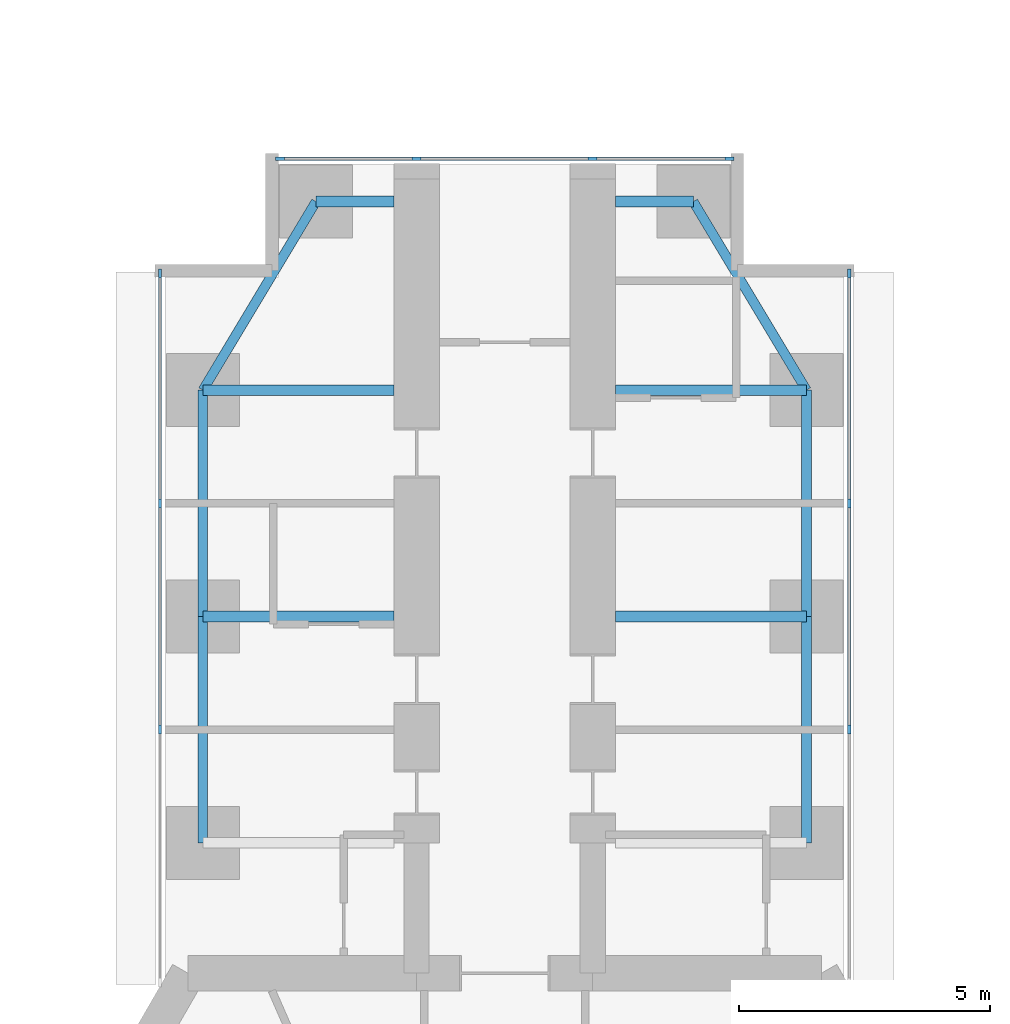
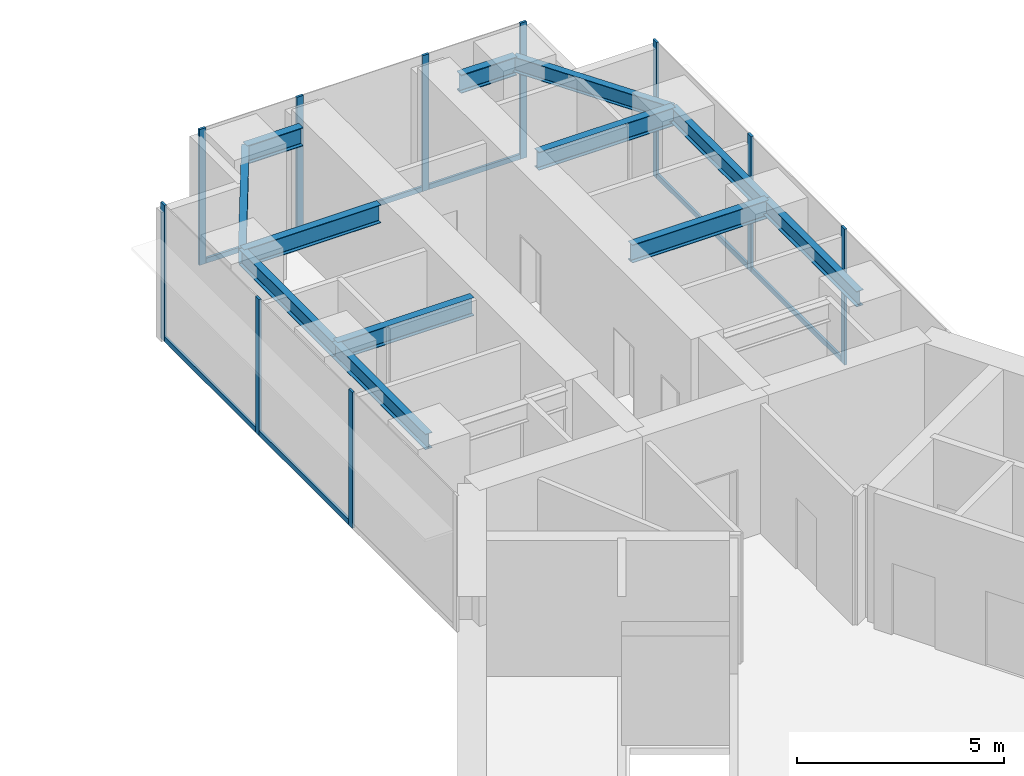
# One storey, part 13 of 24: 17 members, 12 beams, 3 elements without a shape of their own.
"""IFC4 building model written with IfcOpenShell, lengths in metres."""

from ifc_helpers import new_model, si_unit, direction, frame, origin, origin_2d, place, context, subcontext, project, spatial, rectangle, i_section, extrude, material, material_profile, profile_set, type_object, element, aggregate, save


model = new_model("IFC4")

# Units and contexts
model_context = context("Model", 3, precision=1e-05, world=origin(), true_north=direction((0.0, 1.0)))
body_context = subcontext(model_context, "Body", "Model", "MODEL_VIEW")
ifc_project = project(units=[si_unit("LENGTHUNIT", "METRE"), si_unit("AREAUNIT", "SQUARE_METRE"), si_unit("VOLUMEUNIT", "CUBIC_METRE"), si_unit("PLANEANGLEUNIT", "RADIAN"), si_unit("MASSUNIT", "GRAM", prefix="KILO")], contexts=[model_context])

# Site, building, storey
site_placement = place(None, origin())
site = spatial("IfcSite", under=ifc_project, at=site_placement, CompositionType="ELEMENT")
building_placement = place(site_placement, origin())
building = spatial("IfcBuilding", under=site, at=building_placement, Name="Upepo Twin Towers", CompositionType="ELEMENT")
storey_placement = place(building_placement, frame((0.0, 0.0, 48.5)))
storey = spatial("IfcBuildingStorey", under=building, at=storey_placement, Name="L11", CompositionType="ELEMENT", Elevation=48.5)

# Beams
ifc_material_1 = material(Name="Steel S355", Category="steel")
ifc_material_profile_1 = material_profile(ifc_material_1, i_section(OverallWidth=0.1904296875, OverallDepth=0.45703125, WebThickness=0.009033203125, FlangeThickness=0.014404296875, FilletRadius=0.01025390625, at=origin_2d()), Name="UB 457x191x74")
ifc_profile_set_1 = profile_set([ifc_material_profile_1], Name="Steel S355")
beam_type_1 = type_object("IfcBeamType", Name="Beam UB 457x191x74", PredefinedType="BEAM", material=ifc_profile_set_1)
for number, where, z_axis, x_axis, name in (
    (1, (52.5, -4.5, 3.571533203125), (0.0, 1.0, 0.0), (-1.0, 0.0, 0.0), "T2 edge beam AL 13.5-18.0"),
    (2, (52.5, 0.0, 3.571533203125), (0.0, 1.0, 0.0), (-1.0, 0.0, 0.0), "T2 edge beam AL 18.0-22.5"),
):
    element("IfcBeam", number, at=place(storey_placement, frame(where, z_axis=z_axis, x_axis=x_axis)), inside=storey, type_object=beam_type_1, Name=name, PredefinedType="BEAM", context=body_context, shape_type="SweptSolid", body=[
        extrude(i_section(OverallWidth=0.1904296875, OverallDepth=0.45703125, WebThickness=0.009033203125, FlangeThickness=0.014404296875, FilletRadius=0.01025390625, at=origin_2d()), origin(), (0.0, 0.0, 1.0), 4.5),
    ])
beam_1_placement = place(storey_placement, frame((52.5, 4.5, 3.571533203125), z_axis=(0.514495755428, 0.857492925713, 0.0), x_axis=(-0.857492925713, 0.514495755428, 0.0)))
element("IfcBeam", 3, at=beam_1_placement, inside=storey, type_object=beam_type_1, Name="T2 nose edge beam AL", PredefinedType="BEAM", context=body_context, shape_type="SweptSolid", body=[
    extrude(i_section(OverallWidth=0.1904296875, OverallDepth=0.45703125, WebThickness=0.009033203125, FlangeThickness=0.014404296875, FilletRadius=0.01025390625, at=origin_2d()), origin(), (0.0, 0.0, 1.0), 4.373291015625),
])
for number, where, z_axis, x_axis, name in (
    (4, (64.5, -4.5, 3.571533203125), (0.0, 1.0, 0.0), (-1.0, 0.0, 0.0), "T2 edge beam AR 13.5-18.0"),
    (5, (64.5, 0.0, 3.571533203125), (0.0, 1.0, 0.0), (-1.0, 0.0, 0.0), "T2 edge beam AR 18.0-22.5"),
):
    element("IfcBeam", number, at=place(storey_placement, frame(where, z_axis=z_axis, x_axis=x_axis)), inside=storey, type_object=beam_type_1, Name=name, PredefinedType="BEAM", context=body_context, shape_type="SweptSolid", body=[
        extrude(i_section(OverallWidth=0.1904296875, OverallDepth=0.45703125, WebThickness=0.009033203125, FlangeThickness=0.014404296875, FilletRadius=0.01025390625, at=origin_2d()), origin(), (0.0, 0.0, 1.0), 4.5),
    ])
beam_2_placement = place(storey_placement, frame((64.5, 4.5, 3.571533203125), z_axis=(-0.514495755428, 0.857492925713, 0.0), x_axis=(-0.857492925713, -0.514495755428, 0.0)))
element("IfcBeam", 6, at=beam_2_placement, inside=storey, type_object=beam_type_1, Name="T2 nose edge beam AR", PredefinedType="BEAM", context=body_context, shape_type="SweptSolid", body=[
    extrude(i_section(OverallWidth=0.1904296875, OverallDepth=0.45703125, WebThickness=0.009033203125, FlangeThickness=0.014404296875, FilletRadius=0.01025390625, at=origin_2d()), origin(), (0.0, 0.0, 1.0), 4.373291015625),
])
ifc_material_2 = material(Name="Steel S355", Category="steel")
ifc_material_profile_2 = material_profile(ifc_material_2, i_section(OverallWidth=0.2119140625, OverallDepth=0.54443359375, WebThickness=0.0126953125, FlangeThickness=0.021240234375, FilletRadius=0.0126953125, at=origin_2d()), Name="UB 533x210x122")
ifc_profile_set_2 = profile_set([ifc_material_profile_2], Name="Steel S355")
beam_type_2 = type_object("IfcBeamType", Name="Beam UB 533x210x122", PredefinedType="BEAM", material=ifc_profile_set_2)
for number, where, z_axis, x_axis, name in (
    (7, (54.75, 8.25, 3.52783203125), (1.0, 0.0, 0.0), (0.0, 1.0, 0.0), "T2 nose beam AL"),
    (8, (62.25, 8.25, 3.52783203125), (-1.0, 0.0, 0.0), (0.0, -1.0, 0.0), "T2 nose beam AR"),
):
    element("IfcBeam", number, at=place(storey_placement, frame(where, z_axis=z_axis, x_axis=x_axis)), inside=storey, type_object=beam_type_2, Name=name, PredefinedType="BEAM", context=body_context, shape_type="SweptSolid", body=[
        extrude(i_section(OverallWidth=0.2119140625, OverallDepth=0.54443359375, WebThickness=0.0126953125, FlangeThickness=0.021240234375, FilletRadius=0.0126953125, at=origin_2d()), origin(), (0.0, 0.0, 1.0), 1.550048828125),
    ])
ifc_material_3 = material(Name="Steel S355", Category="steel")
ifc_material_profile_3 = material_profile(ifc_material_3, i_section(OverallWidth=0.209228515625, OverallDepth=0.533203125, WebThickness=0.010009765625, FlangeThickness=0.015625, FilletRadius=0.0126953125, at=origin_2d()), Name="UB 533x210x92")
ifc_profile_set_3 = profile_set([ifc_material_profile_3], Name="Steel S355")
beam_type_3 = type_object("IfcBeamType", Name="Beam UB 533x210x92", PredefinedType="BEAM", material=ifc_profile_set_3)
for number, where, z_axis, x_axis, name in (
    (9, (52.5, 0.0, 3.533447265625), (1.0, 0.0, 0.0), (0.0, 1.0, 0.0), "T2 girder AL at 18.0"),
    (10, (52.5, 4.5, 3.533447265625), (1.0, 0.0, 0.0), (0.0, 1.0, 0.0), "T2 girder AL at 22.5"),
    (11, (64.5, 0.0, 3.533447265625), (-1.0, 0.0, 0.0), (0.0, -1.0, 0.0), "T2 girder AR at 18.0"),
    (12, (64.5, 4.5, 3.533447265625), (-1.0, 0.0, 0.0), (0.0, -1.0, 0.0), "T2 girder AR at 22.5"),
):
    element("IfcBeam", number, at=place(storey_placement, frame(where, z_axis=z_axis, x_axis=x_axis)), inside=storey, type_object=beam_type_3, Name=name, PredefinedType="BEAM", context=body_context, shape_type="SweptSolid", body=[
        extrude(i_section(OverallWidth=0.209228515625, OverallDepth=0.533203125, WebThickness=0.010009765625, FlangeThickness=0.015625, FilletRadius=0.0126953125, at=origin_2d()), origin(), (0.0, 0.0, 1.0), 3.800048828125),
    ])

# Curtain wall, members
ifc_material_4 = material(Name="Aluminium and fritted glass", Category="aluminium")
curtain_wall_type = type_object("IfcCurtainWallType", Name="Tower curtain wall TW1, fritted glass", PredefinedType="NOTDEFINED", material=ifc_material_4)
curtain_wall_1_placement = place(storey_placement, origin())
curtain_wall_1 = element("IfcCurtainWall", 13, at=curtain_wall_1_placement, inside=storey, type_object=curtain_wall_type, Name="T2 L11 wing A flank L curtain wall", PredefinedType="NOTDEFINED")
ifc_material_5 = material(Name="Aluminium mullion", Category="aluminium")
ifc_material_profile_4 = material_profile(ifc_material_5, rectangle(XDim=0.06494140625, YDim=0.179931640625, at=origin_2d()), Name="MULLION 65x180")
ifc_profile_set_4 = profile_set([ifc_material_profile_4], Name="Aluminium mullion")
member_type_1 = type_object("IfcMemberType", Name="Mullion 65x180 TW1", PredefinedType="MULLION", material=ifc_profile_set_4)
member_1_placement = place(storey_placement, frame((51.64990234375, -2.25, 0.0), z_axis=(0.0, 0.0, 1.0), x_axis=(-1.0, 0.0, 0.0)))
member_1 = element("IfcMember", 14, at=member_1_placement, type_object=member_type_1, Name="T2 L11 wing A flank L curtain wall mullion 2", PredefinedType="MULLION", context=body_context, shape_type="SweptSolid", body=[
    extrude(rectangle(XDim=0.06494140625, YDim=0.179931640625, at=origin_2d()), origin(), (0.0, 0.0, 1.0), 4.0),
])
member_2_placement = place(storey_placement, frame((51.64990234375, 2.25, 0.0), z_axis=(0.0, 0.0, 1.0), x_axis=(-1.0, 0.0, 0.0)))
member_2 = element("IfcMember", 15, at=member_2_placement, type_object=member_type_1, Name="T2 L11 wing A flank L curtain wall mullion 3", PredefinedType="MULLION", context=body_context, shape_type="SweptSolid", body=[
    extrude(rectangle(XDim=0.06494140625, YDim=0.179931640625, at=origin_2d()), origin(), (0.0, 0.0, 1.0), 4.0),
])
member_3_placement = place(storey_placement, frame((51.64990234375, 6.8173828125, 0.0), z_axis=(0.0, 0.0, 1.0), x_axis=(-1.0, 0.0, 0.0)))
member_3 = element("IfcMember", 16, at=member_3_placement, type_object=member_type_1, Name="T2 L11 wing A flank L curtain wall mullion 4", PredefinedType="MULLION", context=body_context, shape_type="SweptSolid", body=[
    extrude(rectangle(XDim=0.06494140625, YDim=0.179931640625, at=origin_2d()), origin(), (0.0, 0.0, 1.0), 4.0),
])

curtain_wall_2_placement = place(storey_placement, origin())
curtain_wall_2 = element("IfcCurtainWall", 17, at=curtain_wall_2_placement, inside=storey, type_object=curtain_wall_type, Name="T2 L11 wing A flank R curtain wall", PredefinedType="NOTDEFINED")
member_4_placement = place(storey_placement, frame((65.35009765625, 6.8173828125, 0.0), z_axis=(0.0, 0.0, 1.0), x_axis=(1.0, 0.0, 0.0)))
member_4 = element("IfcMember", 18, at=member_4_placement, type_object=member_type_1, Name="T2 L11 wing A flank R curtain wall mullion 1", PredefinedType="MULLION", context=body_context, shape_type="SweptSolid", body=[
    extrude(rectangle(XDim=0.06494140625, YDim=0.179931640625, at=origin_2d()), origin(), (0.0, 0.0, 1.0), 4.0),
])
member_5_placement = place(storey_placement, frame((65.35009765625, 2.25, 0.0), z_axis=(0.0, 0.0, 1.0), x_axis=(1.0, 0.0, 0.0)))
member_5 = element("IfcMember", 19, at=member_5_placement, type_object=member_type_1, Name="T2 L11 wing A flank R curtain wall mullion 2", PredefinedType="MULLION", context=body_context, shape_type="SweptSolid", body=[
    extrude(rectangle(XDim=0.06494140625, YDim=0.179931640625, at=origin_2d()), origin(), (0.0, 0.0, 1.0), 4.0),
])
member_6_placement = place(storey_placement, frame((65.35009765625, -2.25, 0.0), z_axis=(0.0, 0.0, 1.0), x_axis=(1.0, 0.0, 0.0)))
member_6 = element("IfcMember", 20, at=member_6_placement, type_object=member_type_1, Name="T2 L11 wing A flank R curtain wall mullion 3", PredefinedType="MULLION", context=body_context, shape_type="SweptSolid", body=[
    extrude(rectangle(XDim=0.06494140625, YDim=0.179931640625, at=origin_2d()), origin(), (0.0, 0.0, 1.0), 4.0),
])

curtain_wall_3_placement = place(storey_placement, origin())
curtain_wall_3 = element("IfcCurtainWall", 21, at=curtain_wall_3_placement, inside=storey, type_object=curtain_wall_type, Name="T2 L11 wing A nose curtain wall", PredefinedType="NOTDEFINED")
member_7_placement = place(storey_placement, frame((62.967529296875, 9.10009765625, 0.0), z_axis=(0.0, 0.0, 1.0), x_axis=(0.0, -1.0, 0.0)))
member_7 = element("IfcMember", 22, at=member_7_placement, type_object=member_type_1, Name="T2 L11 wing A nose curtain wall mullion 1", PredefinedType="MULLION", context=body_context, shape_type="SweptSolid", body=[
    extrude(rectangle(XDim=0.06494140625, YDim=0.179931640625, at=origin_2d()), origin(), (0.0, 0.0, 1.0), 4.0),
])
member_8_placement = place(storey_placement, frame((60.25, 9.10009765625, 0.0), z_axis=(0.0, 0.0, 1.0), x_axis=(0.0, -1.0, 0.0)))
member_8 = element("IfcMember", 23, at=member_8_placement, type_object=member_type_1, Name="T2 L11 wing A nose curtain wall mullion 2", PredefinedType="MULLION", context=body_context, shape_type="SweptSolid", body=[
    extrude(rectangle(XDim=0.06494140625, YDim=0.179931640625, at=origin_2d()), origin(), (0.0, 0.0, 1.0), 4.0),
])
member_9_placement = place(storey_placement, frame((56.75, 9.10009765625, 0.0), z_axis=(0.0, 0.0, 1.0), x_axis=(0.0, -1.0, 0.0)))
member_9 = element("IfcMember", 24, at=member_9_placement, type_object=member_type_1, Name="T2 L11 wing A nose curtain wall mullion 3", PredefinedType="MULLION", context=body_context, shape_type="SweptSolid", body=[
    extrude(rectangle(XDim=0.06494140625, YDim=0.179931640625, at=origin_2d()), origin(), (0.0, 0.0, 1.0), 4.0),
])
member_10_placement = place(storey_placement, frame((54.032470703125, 9.10009765625, 0.0), z_axis=(0.0, 0.0, 1.0), x_axis=(0.0, -1.0, 0.0)))
member_10 = element("IfcMember", 25, at=member_10_placement, type_object=member_type_1, Name="T2 L11 wing A nose curtain wall mullion 4", PredefinedType="MULLION", context=body_context, shape_type="SweptSolid", body=[
    extrude(rectangle(XDim=0.06494140625, YDim=0.179931640625, at=origin_2d()), origin(), (0.0, 0.0, 1.0), 4.0),
])

# Member
ifc_material_6 = material(Name="Aluminium transom", Category="aluminium")
ifc_material_profile_5 = material_profile(ifc_material_6, rectangle(XDim=0.06494140625, YDim=0.14990234375, at=origin_2d()), Name="TRANSOM 65x150")
ifc_profile_set_5 = profile_set([ifc_material_profile_5], Name="Aluminium transom")
member_type_2 = type_object("IfcMemberType", Name="Transom 65x150 TW1", PredefinedType="USERDEFINED", material=ifc_profile_set_5)
member_11_placement = place(storey_placement, frame((51.64990234375, -2.217529296875, 0.074951171875), z_axis=(0.0, 1.0, 0.0), x_axis=(-1.0, 0.0, 0.0)))
member_11 = element("IfcMember", 26, at=member_11_placement, type_object=member_type_2, Name="T2 L11 wing A flank L curtain wall transom 2", ObjectType="TRANSOM", PredefinedType="USERDEFINED", context=body_context, shape_type="SweptSolid", body=[
    extrude(rectangle(XDim=0.06494140625, YDim=0.14990234375, at=origin_2d()), origin(), (0.0, 0.0, 1.0), 4.43505859375),
])

member_12_placement = place(storey_placement, frame((51.64990234375, 2.282470703125, 0.074951171875), z_axis=(0.0, 1.0, 0.0), x_axis=(-1.0, 0.0, 0.0)))
member_12 = element("IfcMember", 27, at=member_12_placement, type_object=member_type_2, Name="T2 L11 wing A flank L curtain wall transom 3", ObjectType="TRANSOM", PredefinedType="USERDEFINED", context=body_context, shape_type="SweptSolid", body=[
    extrude(rectangle(XDim=0.06494140625, YDim=0.14990234375, at=origin_2d()), origin(), (0.0, 0.0, 1.0), 4.50244140625),
])

aggregate(curtain_wall_1, [member_1, member_2, member_3, member_11, member_12])

member_13_placement = place(storey_placement, frame((65.35009765625, 6.784912109375, 0.074951171875), z_axis=(0.0, -1.0, 0.0), x_axis=(1.0, 0.0, 0.0)))
member_13 = element("IfcMember", 28, at=member_13_placement, type_object=member_type_2, Name="T2 L11 wing A flank R curtain wall transom 1", ObjectType="TRANSOM", PredefinedType="USERDEFINED", context=body_context, shape_type="SweptSolid", body=[
    extrude(rectangle(XDim=0.06494140625, YDim=0.14990234375, at=origin_2d()), origin(), (0.0, 0.0, 1.0), 4.50244140625),
])

member_14_placement = place(storey_placement, frame((65.35009765625, 2.217529296875, 0.074951171875), z_axis=(0.0, -1.0, 0.0), x_axis=(1.0, 0.0, 0.0)))
member_14 = element("IfcMember", 29, at=member_14_placement, type_object=member_type_2, Name="T2 L11 wing A flank R curtain wall transom 2", ObjectType="TRANSOM", PredefinedType="USERDEFINED", context=body_context, shape_type="SweptSolid", body=[
    extrude(rectangle(XDim=0.06494140625, YDim=0.14990234375, at=origin_2d()), origin(), (0.0, 0.0, 1.0), 4.43505859375),
])

aggregate(curtain_wall_2, [member_4, member_5, member_6, member_13, member_14])

member_15_placement = place(storey_placement, frame((62.93505859375, 9.10009765625, 0.074951171875), z_axis=(-1.0, 0.0, 0.0), x_axis=(0.0, -1.0, 0.0)))
member_15 = element("IfcMember", 30, at=member_15_placement, type_object=member_type_2, Name="T2 L11 wing A nose curtain wall transom 1", ObjectType="TRANSOM", PredefinedType="USERDEFINED", context=body_context, shape_type="SweptSolid", body=[
    extrude(rectangle(XDim=0.06494140625, YDim=0.14990234375, at=origin_2d()), origin(), (0.0, 0.0, 1.0), 2.652587890625),
])

member_16_placement = place(storey_placement, frame((60.217529296875, 9.10009765625, 0.074951171875), z_axis=(-1.0, 0.0, 0.0), x_axis=(0.0, -1.0, 0.0)))
member_16 = element("IfcMember", 31, at=member_16_placement, type_object=member_type_2, Name="T2 L11 wing A nose curtain wall transom 2", ObjectType="TRANSOM", PredefinedType="USERDEFINED", context=body_context, shape_type="SweptSolid", body=[
    extrude(rectangle(XDim=0.06494140625, YDim=0.14990234375, at=origin_2d()), origin(), (0.0, 0.0, 1.0), 3.43505859375),
])

member_17_placement = place(storey_placement, frame((56.717529296875, 9.10009765625, 0.074951171875), z_axis=(-1.0, 0.0, 0.0), x_axis=(0.0, -1.0, 0.0)))
member_17 = element("IfcMember", 32, at=member_17_placement, type_object=member_type_2, Name="T2 L11 wing A nose curtain wall transom 3", ObjectType="TRANSOM", PredefinedType="USERDEFINED", context=body_context, shape_type="SweptSolid", body=[
    extrude(rectangle(XDim=0.06494140625, YDim=0.14990234375, at=origin_2d()), origin(), (0.0, 0.0, 1.0), 2.652587890625),
])

aggregate(curtain_wall_3, [member_7, member_8, member_9, member_10, member_15, member_16, member_17])

save(model, "model.ifc")
